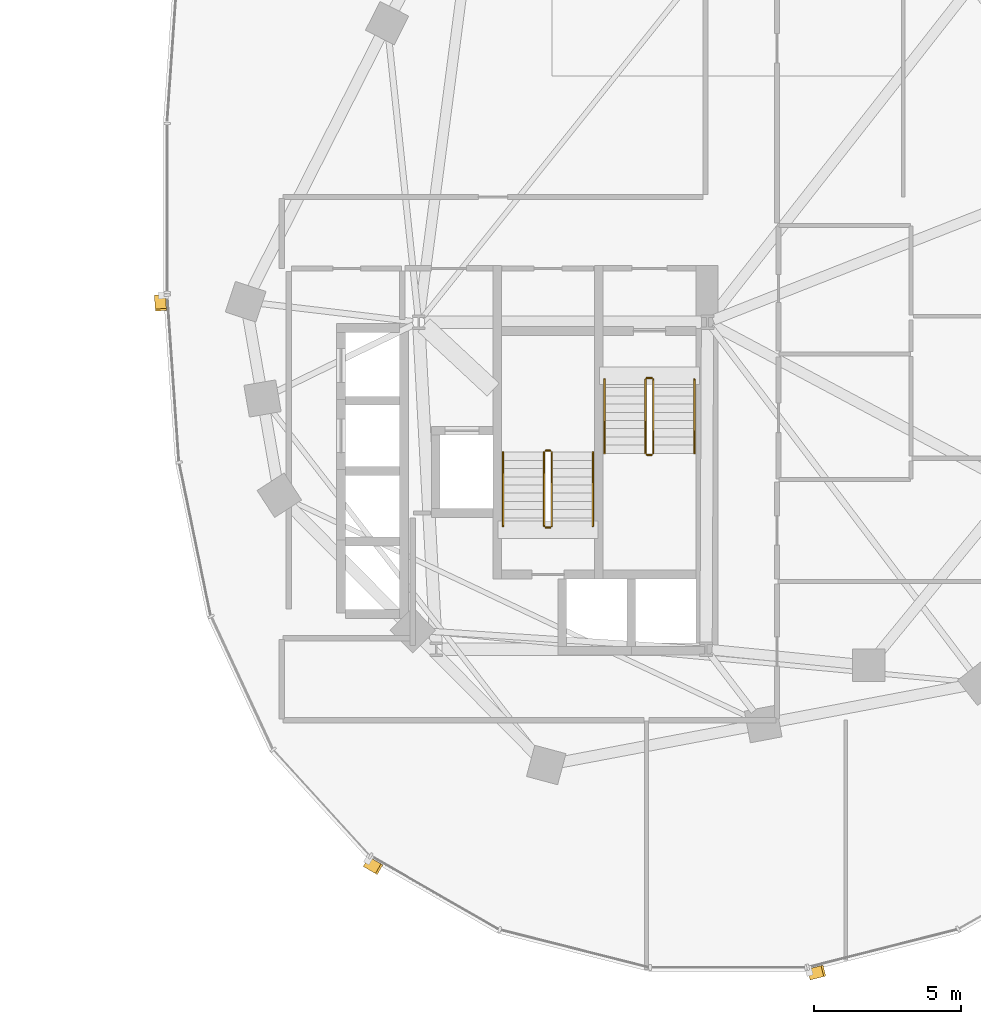
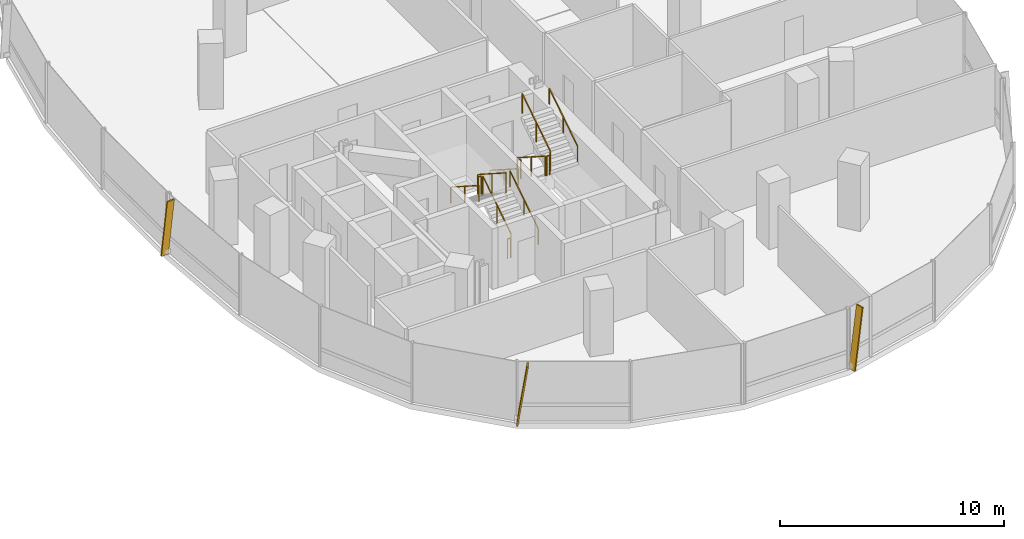
# One storey, part 20 of 21: 12 railings, 3 shading devices.
"""IFC4 building model written with IfcOpenShell, lengths in metres."""

from ifc_helpers import new_model, si_unit, direction, frame, origin, origin_2d, place, context, subcontext, project, spatial, rectangle, extrude, material, material_profile, profile_set, type_object, element, save


model = new_model("IFC4")

# Units and contexts
model_context = context("Model", 3, precision=1e-05, world=origin(), true_north=direction((0.0, 1.0)))
body_context = subcontext(model_context, "Body", "Model", "MODEL_VIEW")
ifc_project = project(units=[si_unit("LENGTHUNIT", "METRE"), si_unit("AREAUNIT", "SQUARE_METRE"), si_unit("VOLUMEUNIT", "CUBIC_METRE"), si_unit("PLANEANGLEUNIT", "RADIAN"), si_unit("MASSUNIT", "GRAM", prefix="KILO"), si_unit("THERMODYNAMICTEMPERATUREUNIT", "KELVIN"), si_unit("POWERUNIT", "WATT")], contexts=[model_context])

# Site, building, storey
site_placement = place(None, origin())
site = spatial("IfcSite", under=ifc_project, at=site_placement, CompositionType="ELEMENT")
building_placement = place(site_placement, origin())
building = spatial("IfcBuilding", under=site, at=building_placement, Name="Cundina Bronze Exchange", CompositionType="ELEMENT")
storey_placement = place(building_placement, frame((0.0, 0.0, 81.800048828125)))
storey = spatial("IfcBuildingStorey", under=building, at=storey_placement, Name="L20", CompositionType="ELEMENT", Elevation=81.800048828125)

# Railings
ifc_material_1 = material(Name="Steel ASTM A36 Painted", Category="steel")
railing_type_1 = type_object("IfcRailingType", Name="RLG-HND-900", PredefinedType="HANDRAIL", material=ifc_material_1)
railing_1_placement = place(storey_placement, frame((27.7900390625, -5.85009765625, 0.179931640625)))
element("IfcRailing", 1, at=railing_1_placement, inside=storey, type_object=railing_type_1, Name="L20 ST-E1 stair handrail 1", PredefinedType="HANDRAIL", context=body_context, shape_type="SweptSolid", body=[
    extrude(rectangle(XDim=0.048095703125, YDim=0.048095703125, at=origin_2d()), frame((0.0, 0.0, 0.8759765625), z_axis=(0.0, -0.841162588446, 0.540782303519), x_axis=(1.0, 0.0, 0.0)), (0.0, 0.0, 1.0), 2.995849609375),
    extrude(rectangle(XDim=0.0419921875, YDim=0.0419921875, at=origin_2d()), origin(), (0.0, 0.0, 1.0), 0.851806640625),
    extrude(rectangle(XDim=0.0419921875, YDim=0.0419921875, at=origin_2d()), frame((0.0, -1.260009765625, 0.81005859375)), (0.0, 0.0, 1.0), 0.851806640625),
    extrude(rectangle(XDim=0.0419921875, YDim=0.0419921875, at=origin_2d()), frame((0.0, -2.52001953125, 1.6201171875)), (0.0, 0.0, 1.0), 0.851806640625),
])
railing_2_placement = place(storey_placement, frame((30.85009765625, -8.3701171875, 1.97998046875)))
element("IfcRailing", 2, at=railing_2_placement, inside=storey, type_object=railing_type_1, Name="L20 ST-E1 stair handrail 2", PredefinedType="HANDRAIL", context=body_context, shape_type="SweptSolid", body=[
    extrude(rectangle(XDim=0.048095703125, YDim=0.048095703125, at=origin_2d()), frame((0.0, 0.0, 0.8759765625), z_axis=(0.0, 0.841199657755, 0.540724639528), x_axis=(-1.0, 0.0, 0.0)), (0.0, 0.0, 1.0), 2.995849609375),
    extrude(rectangle(XDim=0.0419921875, YDim=0.0419921875, at=origin_2d()), origin(), (0.0, 0.0, 1.0), 0.851806640625),
    extrude(rectangle(XDim=0.0419921875, YDim=0.0419921875, at=origin_2d()), frame((0.0, 1.260009765625, 0.81005859375)), (0.0, 0.0, 1.0), 0.851806640625),
    extrude(rectangle(XDim=0.0419921875, YDim=0.0419921875, at=origin_2d()), frame((0.0, 2.52001953125, 1.619873046875)), (0.0, 0.0, 1.0), 0.851806640625),
])
railing_3_placement = place(storey_placement, frame((27.389892578125, -10.85009765625, 0.179931640625)))
element("IfcRailing", 3, at=railing_3_placement, inside=storey, type_object=railing_type_1, Name="L20 ST-E2 stair handrail 1", PredefinedType="HANDRAIL", context=body_context, shape_type="SweptSolid", body=[
    extrude(rectangle(XDim=0.048095703125, YDim=0.048095703125, at=origin_2d()), frame((0.0, 0.0, 0.8759765625), z_axis=(0.0, 0.841162588446, 0.540782303519), x_axis=(-1.0, 0.0, 0.0)), (0.0, 0.0, 1.0), 2.995849609375),
    extrude(rectangle(XDim=0.0419921875, YDim=0.0419921875, at=origin_2d()), origin(), (0.0, 0.0, 1.0), 0.851806640625),
    extrude(rectangle(XDim=0.0419921875, YDim=0.0419921875, at=origin_2d()), frame((0.0, 1.260009765625, 0.81005859375)), (0.0, 0.0, 1.0), 0.851806640625),
    extrude(rectangle(XDim=0.0419921875, YDim=0.0419921875, at=origin_2d()), frame((0.0, 2.52001953125, 1.6201171875)), (0.0, 0.0, 1.0), 0.851806640625),
])
railing_4_placement = place(storey_placement, frame((24.330078125, -8.330078125, 1.97998046875)))
element("IfcRailing", 4, at=railing_4_placement, inside=storey, type_object=railing_type_1, Name="L20 ST-E2 stair handrail 2", PredefinedType="HANDRAIL", context=body_context, shape_type="SweptSolid", body=[
    extrude(rectangle(XDim=0.048095703125, YDim=0.048095703125, at=origin_2d()), frame((0.0, 0.0, 0.8759765625), z_axis=(0.0, -0.841199657755, 0.540724639528), x_axis=(1.0, 0.0, 0.0)), (0.0, 0.0, 1.0), 2.995849609375),
    extrude(rectangle(XDim=0.0419921875, YDim=0.0419921875, at=origin_2d()), origin(), (0.0, 0.0, 1.0), 0.851806640625),
    extrude(rectangle(XDim=0.0419921875, YDim=0.0419921875, at=origin_2d()), frame((0.0, -1.260009765625, 0.81005859375)), (0.0, 0.0, 1.0), 0.851806640625),
    extrude(rectangle(XDim=0.0419921875, YDim=0.0419921875, at=origin_2d()), frame((0.0, -2.52001953125, 1.619873046875)), (0.0, 0.0, 1.0), 0.851806640625),
])
railing_type_2 = type_object("IfcRailingType", Name="RLG-STG-1100", PredefinedType="GUARDRAIL", material=ifc_material_1)
railing_5_placement = place(storey_placement, frame((29.18994140625, -5.85009765625, 0.179931640625)))
element("IfcRailing", 5, at=railing_5_placement, inside=storey, type_object=railing_type_2, Name="L20 ST-E1 stair guard 1", PredefinedType="GUARDRAIL", context=body_context, shape_type="SweptSolid", body=[
    extrude(rectangle(XDim=0.048095703125, YDim=0.048095703125, at=origin_2d()), frame((0.0, 0.0, 1.076171875), z_axis=(0.0, -0.841162588446, 0.540782303519), x_axis=(1.0, 0.0, 0.0)), (0.0, 0.0, 1.0), 2.995849609375),
    extrude(rectangle(XDim=0.0419921875, YDim=0.0419921875, at=origin_2d()), origin(), (0.0, 0.0, 1.0), 1.052001953125),
    extrude(rectangle(XDim=0.0419921875, YDim=0.0419921875, at=origin_2d()), frame((0.0, -1.260009765625, 0.81005859375)), (0.0, 0.0, 1.0), 1.052001953125),
    extrude(rectangle(XDim=0.0419921875, YDim=0.0419921875, at=origin_2d()), frame((0.0, -2.52001953125, 1.6201171875)), (0.0, 0.0, 1.0), 1.052001953125),
])
railing_6_placement = place(storey_placement, frame((29.239990234375, -8.419921875, 1.800048828125)))
element("IfcRailing", 6, at=railing_6_placement, inside=storey, type_object=railing_type_2, Name="L20 ST-E1 stair guard 2", PredefinedType="GUARDRAIL", context=body_context, shape_type="SweptSolid", body=[
    extrude(rectangle(XDim=0.048095703125, YDim=0.048095703125, at=origin_2d()), frame((0.0, 0.0, 1.076171875), z_axis=(1.0, 0.0, 0.0), x_axis=(0.0, 1.0, 0.0)), (0.0, 0.0, 1.0), 0.159912109375),
    extrude(rectangle(XDim=0.0419921875, YDim=0.0419921875, at=origin_2d()), origin(), (0.0, 0.0, 1.0), 1.052001953125),
    extrude(rectangle(XDim=0.0419921875, YDim=0.0419921875, at=origin_2d()), frame((0.159912109375, 0.0, 0.0)), (0.0, 0.0, 1.0), 1.052001953125),
])
railing_7_placement = place(storey_placement, frame((29.449951171875, -8.3701171875, 1.97998046875)))
element("IfcRailing", 7, at=railing_7_placement, inside=storey, type_object=railing_type_2, Name="L20 ST-E1 stair guard 3", PredefinedType="GUARDRAIL", context=body_context, shape_type="SweptSolid", body=[
    extrude(rectangle(XDim=0.048095703125, YDim=0.048095703125, at=origin_2d()), frame((0.0, 0.0, 1.076171875), z_axis=(0.0, 0.841199657755, 0.540724639528), x_axis=(-1.0, 0.0, 0.0)), (0.0, 0.0, 1.0), 2.995849609375),
    extrude(rectangle(XDim=0.0419921875, YDim=0.0419921875, at=origin_2d()), origin(), (0.0, 0.0, 1.0), 1.052001953125),
    extrude(rectangle(XDim=0.0419921875, YDim=0.0419921875, at=origin_2d()), frame((0.0, 1.260009765625, 0.81005859375)), (0.0, 0.0, 1.0), 1.052001953125),
    extrude(rectangle(XDim=0.0419921875, YDim=0.0419921875, at=origin_2d()), frame((0.0, 2.52001953125, 1.619873046875)), (0.0, 0.0, 1.0), 1.052001953125),
])
railing_8_placement = place(storey_placement, frame((29.239990234375, -5.800048828125, 0.0)))
element("IfcRailing", 8, at=railing_8_placement, inside=storey, type_object=railing_type_2, Name="L20 ST-E1 stair guard 4", PredefinedType="GUARDRAIL", context=body_context, shape_type="SweptSolid", body=[
    extrude(rectangle(XDim=0.048095703125, YDim=0.048095703125, at=origin_2d()), frame((0.0, 0.0, 1.076171875), z_axis=(1.0, 0.0, 0.0), x_axis=(0.0, 1.0, 0.0)), (0.0, 0.0, 1.0), 0.159912109375),
    extrude(rectangle(XDim=0.0419921875, YDim=0.0419921875, at=origin_2d()), origin(), (0.0, 0.0, 1.0), 1.052001953125),
    extrude(rectangle(XDim=0.0419921875, YDim=0.0419921875, at=origin_2d()), frame((0.159912109375, 0.0, 0.0)), (0.0, 0.0, 1.0), 1.052001953125),
])
railing_9_placement = place(storey_placement, frame((25.989990234375, -10.85009765625, 0.179931640625)))
element("IfcRailing", 9, at=railing_9_placement, inside=storey, type_object=railing_type_2, Name="L20 ST-E2 stair guard 1", PredefinedType="GUARDRAIL", context=body_context, shape_type="SweptSolid", body=[
    extrude(rectangle(XDim=0.048095703125, YDim=0.048095703125, at=origin_2d()), frame((0.0, 0.0, 1.076171875), z_axis=(0.0, 0.841162588446, 0.540782303519), x_axis=(-1.0, 0.0, 0.0)), (0.0, 0.0, 1.0), 2.995849609375),
    extrude(rectangle(XDim=0.0419921875, YDim=0.0419921875, at=origin_2d()), origin(), (0.0, 0.0, 1.0), 1.052001953125),
    extrude(rectangle(XDim=0.0419921875, YDim=0.0419921875, at=origin_2d()), frame((0.0, 1.260009765625, 0.81005859375)), (0.0, 0.0, 1.0), 1.052001953125),
    extrude(rectangle(XDim=0.0419921875, YDim=0.0419921875, at=origin_2d()), frame((0.0, 2.52001953125, 1.6201171875)), (0.0, 0.0, 1.0), 1.052001953125),
])
railing_10_placement = place(storey_placement, frame((25.93994140625, -8.280029296875, 1.800048828125)))
element("IfcRailing", 10, at=railing_10_placement, inside=storey, type_object=railing_type_2, Name="L20 ST-E2 stair guard 2", PredefinedType="GUARDRAIL", context=body_context, shape_type="SweptSolid", body=[
    extrude(rectangle(XDim=0.048095703125, YDim=0.048095703125, at=origin_2d()), frame((0.0, 0.0, 1.076171875), z_axis=(-1.0, 0.0, 0.0), x_axis=(0.0, -1.0, 0.0)), (0.0, 0.0, 1.0), 0.159912109375),
    extrude(rectangle(XDim=0.0419921875, YDim=0.0419921875, at=origin_2d()), origin(), (0.0, 0.0, 1.0), 1.052001953125),
    extrude(rectangle(XDim=0.0419921875, YDim=0.0419921875, at=origin_2d()), frame((-0.159912109375, 0.0, 0.0)), (0.0, 0.0, 1.0), 1.052001953125),
])
railing_11_placement = place(storey_placement, frame((25.72998046875, -8.330078125, 1.97998046875)))
element("IfcRailing", 11, at=railing_11_placement, inside=storey, type_object=railing_type_2, Name="L20 ST-E2 stair guard 3", PredefinedType="GUARDRAIL", context=body_context, shape_type="SweptSolid", body=[
    extrude(rectangle(XDim=0.048095703125, YDim=0.048095703125, at=origin_2d()), frame((0.0, 0.0, 1.076171875), z_axis=(0.0, -0.841199657755, 0.540724639528), x_axis=(1.0, 0.0, 0.0)), (0.0, 0.0, 1.0), 2.995849609375),
    extrude(rectangle(XDim=0.0419921875, YDim=0.0419921875, at=origin_2d()), origin(), (0.0, 0.0, 1.0), 1.052001953125),
    extrude(rectangle(XDim=0.0419921875, YDim=0.0419921875, at=origin_2d()), frame((0.0, -1.260009765625, 0.81005859375)), (0.0, 0.0, 1.0), 1.052001953125),
    extrude(rectangle(XDim=0.0419921875, YDim=0.0419921875, at=origin_2d()), frame((0.0, -2.52001953125, 1.619873046875)), (0.0, 0.0, 1.0), 1.052001953125),
])
railing_12_placement = place(storey_placement, frame((25.93994140625, -10.89990234375, 0.0)))
element("IfcRailing", 12, at=railing_12_placement, inside=storey, type_object=railing_type_2, Name="L20 ST-E2 stair guard 4", PredefinedType="GUARDRAIL", context=body_context, shape_type="SweptSolid", body=[
    extrude(rectangle(XDim=0.048095703125, YDim=0.048095703125, at=origin_2d()), frame((0.0, 0.0, 1.076171875), z_axis=(-1.0, 0.0, 0.0), x_axis=(0.0, -1.0, 0.0)), (0.0, 0.0, 1.0), 0.159912109375),
    extrude(rectangle(XDim=0.0419921875, YDim=0.0419921875, at=origin_2d()), origin(), (0.0, 0.0, 1.0), 1.052001953125),
    extrude(rectangle(XDim=0.0419921875, YDim=0.0419921875, at=origin_2d()), frame((-0.159912109375, 0.0, 0.0)), (0.0, 0.0, 1.0), 1.052001953125),
])

# Shading devices
ifc_material_2 = material(Name="Anodised Bronze Aluminium 6063-T6", Category="aluminium")
ifc_material_profile = material_profile(ifc_material_2, rectangle(XDim=0.070068359375, YDim=0.3798828125, at=origin_2d()), Name="FIN70X380", Category="aluminium")
ifc_profile_set = profile_set([ifc_material_profile], Name="Anodised Bronze Aluminium 6063-T6")
shading_device_type = type_object("IfcShadingDeviceType", Name="SHD-FIN-BRZ380", PredefinedType="USERDEFINED", material=ifc_profile_set)
for number, where, z_axis, x_axis, name in (
    (13, (12.6259765625, -2.993896484375, 0.02001953125), (0.010224545828, -0.145292278041, 0.989335945271), (-0.069450050635, 0.986895284755, 0.145651595925), "L20 Diagonal Bronze Solar Fin 1"),
    (14, (19.685791015625, -22.314208984375, 0.02001953125), (0.126324692219, -0.072534823274, 0.989333498649), (-0.857958278167, 0.492634108109, 0.145668213594), "L20 Diagonal Bronze Solar Fin 5"),
    (15, (34.787353515625, -26.138427734375, 0.02001953125), (0.141217047268, 0.035711761166, 0.989334329575), (-0.95914051701, -0.242552848478, 0.145662570088), "L20 Diagonal Bronze Solar Fin 1"),
):
    element("IfcShadingDevice", number, at=place(storey_placement, frame(where, z_axis=z_axis, x_axis=x_axis)), inside=storey, type_object=shading_device_type, Name=name, ObjectType="FIN", PredefinedType="USERDEFINED", context=body_context, shape_type="SweptSolid", body=[
        extrude(rectangle(XDim=0.070068359375, YDim=0.3798828125, at=origin_2d()), origin(), (0.0, 0.0, 1.0), 3.295166015625),
    ])

save(model, "model.ifc")
